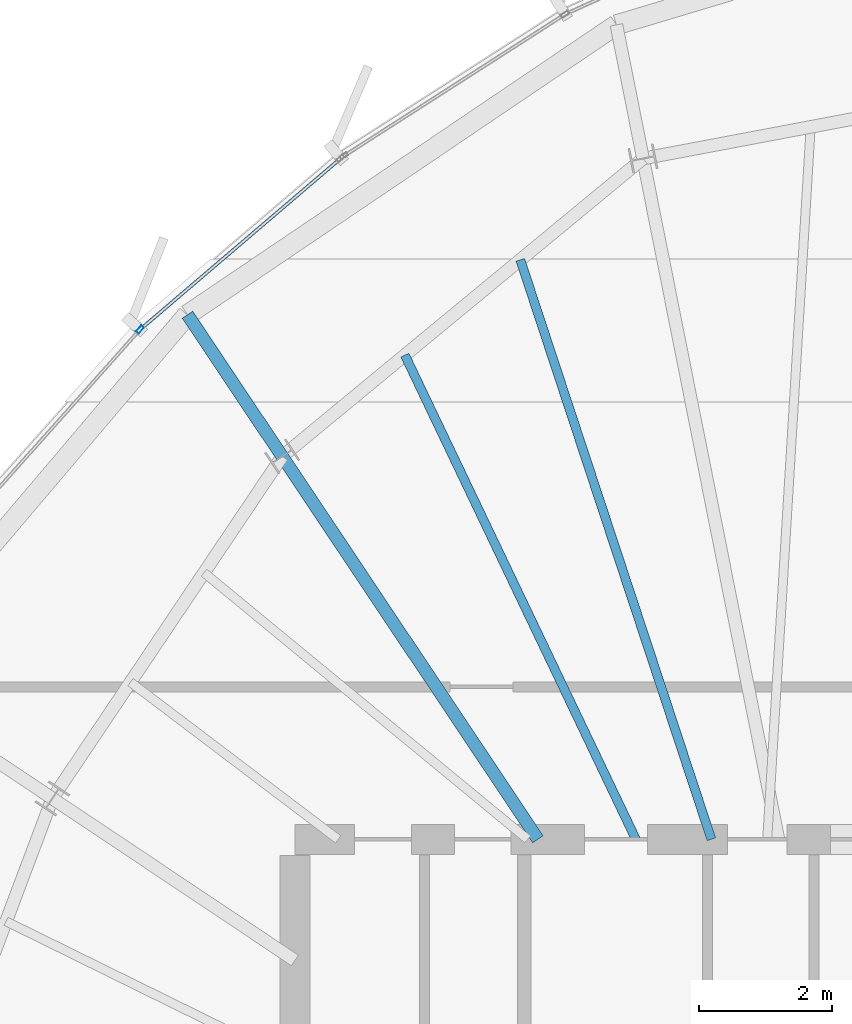
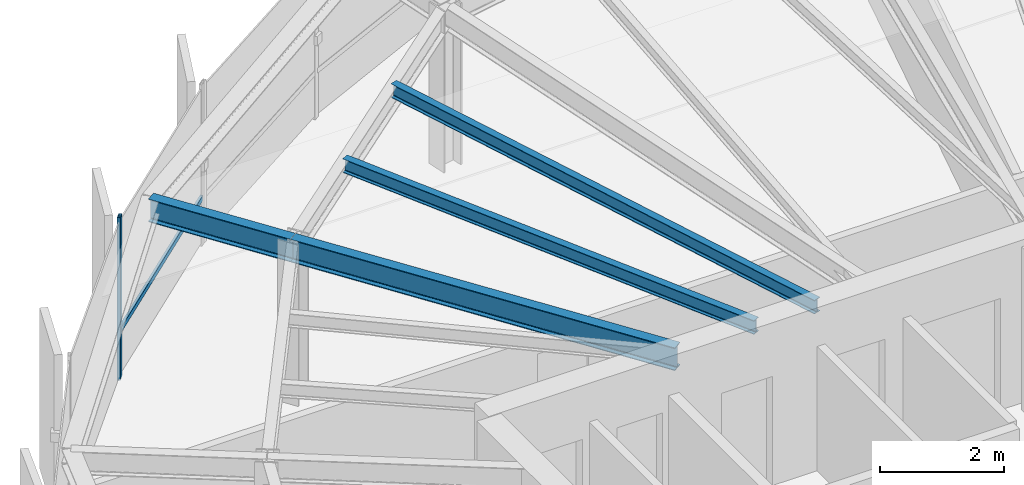
# One storey, part 18 of 31: 4 beams, 2 members, 1 element without a shape of its own.
"""IFC4 building model written with IfcOpenShell, lengths in metres."""

from ifc_helpers import new_model, si_unit, direction, frame, origin, origin_2d, place, context, subcontext, project, spatial, hollow_rectangle, i_section, extrude, source, transform, mapped, material, layer, layer_set, material_profile, profile_set, type_object, element, aggregate, save


model = new_model("IFC4")

# Units and contexts
model_context = context("Model", 3, precision=1e-05, world=origin(), true_north=direction((0.0, 1.0)))
body_context = subcontext(model_context, "Body", "Model", "MODEL_VIEW")
ifc_project = project(units=[si_unit("LENGTHUNIT", "METRE"), si_unit("AREAUNIT", "SQUARE_METRE"), si_unit("VOLUMEUNIT", "CUBIC_METRE"), si_unit("PLANEANGLEUNIT", "RADIAN"), si_unit("MASSUNIT", "GRAM", prefix="KILO"), si_unit("THERMODYNAMICTEMPERATUREUNIT", "KELVIN")], contexts=[model_context])

# Site, building, storey
site_placement = place(None, origin())
site = spatial("IfcSite", under=ifc_project, at=site_placement, CompositionType="ELEMENT")
building_placement = place(site_placement, origin())
building = spatial("IfcBuilding", under=site, at=building_placement, Name="Kethvar Cultural Tower", CompositionType="ELEMENT")
storey_placement = place(building_placement, frame((0.0, 0.0, 276.699951171875)))
storey = spatial("IfcBuildingStorey", under=building, at=storey_placement, Name="L73", CompositionType="ELEMENT", Elevation=276.699951171875)

# Beams
ifc_material_1 = material(Name="Steel S355J2", Category="steel")
ifc_material_profile_1 = material_profile(ifc_material_1, i_section(OverallWidth=0.18994140625, OverallDepth=0.449951171875, WebThickness=0.009521484375, FlangeThickness=0.0146484375, FilletRadius=0.02099609375, at=origin_2d()), Name="Steel S355J2 — IPE450")
ifc_profile_set_1 = profile_set([ifc_material_profile_1], Name="Steel S355J2 — IPE450")
beam_type_1 = type_object("IfcBeamType", Name="BM-IPE450", PredefinedType="BEAM", material=ifc_profile_set_1)
shared_shape_1 = source(origin(), body_context, "Body", "SweptSolid", [
    extrude(i_section(OverallWidth=0.18994140625, OverallDepth=0.449951171875, WebThickness=0.009521484375, FlangeThickness=0.0146484375, FilletRadius=0.02099609375, at=origin_2d()), origin(), (0.0, 0.0, 1.0), 6.921630859375),
])
beam_1_placement = place(storey_placement, frame((41.655029296875, 35.5, 2.983154296875), z_axis=(-0.555570841874, 0.831469205479, 0.0), x_axis=(-0.831469205479, -0.555570841874, 0.0)))
element("IfcBeam", 1, at=beam_1_placement, inside=storey, type_object=beam_type_1, Name="L73 Primary Radial Beam RB-06", PredefinedType="BEAM", context=body_context, shape_type="MappedRepresentation", body=[
    mapped(shared_shape_1, transform((0.0, 0.0, 0.0), scale=1.0)),
])
ifc_material_profile_2 = material_profile(ifc_material_1, i_section(OverallWidth=0.135009765625, OverallDepth=0.27001953125, WebThickness=0.006591796875, FlangeThickness=0.01025390625, FilletRadius=0.014892578125, at=origin_2d()), Name="Steel S355J2 — IPE270")
ifc_profile_set_2 = profile_set([ifc_material_profile_2], Name="Steel S355J2 — IPE270")
beam_type_2 = type_object("IfcBeamType", Name="BM-J270", PredefinedType="JOIST", material=ifc_profile_set_2)
shared_shape_2 = source(origin(), body_context, "Body", "SweptSolid", [
    extrude(i_section(OverallWidth=0.135009765625, OverallDepth=0.27001953125, WebThickness=0.006591796875, FlangeThickness=0.01025390625, FilletRadius=0.014892578125, at=origin_2d()), origin(), (0.0, 0.0, 1.0), 9.17138671875),
])
beam_2_placement = place(storey_placement, frame((44.260986328125, 35.5, 3.072998046875), z_axis=(-0.313151555446, 0.949703165901, 0.0), x_axis=(-0.949703165901, -0.313151555446, 0.0)))
element("IfcBeam", 2, at=beam_2_placement, inside=storey, type_object=beam_type_2, Name="L73 Composite Floor Joist J-05A", PredefinedType="JOIST", context=body_context, shape_type="MappedRepresentation", body=[
    mapped(shared_shape_2, transform((0.0, 0.0, 0.0), scale=1.0)),
])
shared_shape_3 = source(origin(), body_context, "Body", "SweptSolid", [
    extrude(i_section(OverallWidth=0.135009765625, OverallDepth=0.27001953125, WebThickness=0.006591796875, FlangeThickness=0.01025390625, FilletRadius=0.014892578125, at=origin_2d()), origin(), (0.0, 0.0, 1.0), 8.063232421875),
])
beam_3_placement = place(storey_placement, frame((43.1259765625, 35.5, 3.072998046875), z_axis=(-0.430642151588, 0.902522762746, 0.0), x_axis=(-0.902522762746, -0.430642151588, 0.0)))
element("IfcBeam", 3, at=beam_3_placement, inside=storey, type_object=beam_type_2, Name="L73 Composite Floor Joist J-05B", PredefinedType="JOIST", context=body_context, shape_type="MappedRepresentation", body=[
    mapped(shared_shape_3, transform((0.0, 0.0, 0.0), scale=1.0)),
])
shared_shape_4 = source(origin(), body_context, "Body", "SweptSolid", [
    extrude(i_section(OverallWidth=0.18994140625, OverallDepth=0.449951171875, WebThickness=0.009521484375, FlangeThickness=0.0146484375, FilletRadius=0.02099609375, at=origin_2d()), origin(), (0.0, 0.0, 1.0), 2.56201171875),
])
beam_4_placement = place(storey_placement, frame((37.8095703125, 41.255126953125, 2.983154296875), z_axis=(-0.555579547735, 0.831463388334, 0.0), x_axis=(-0.831463388334, -0.555579547735, 0.0)))
element("IfcBeam", 4, at=beam_4_placement, inside=storey, type_object=beam_type_1, Name="L73 Perimeter Cantilever Beam RC-06", PredefinedType="BEAM", context=body_context, shape_type="MappedRepresentation", body=[
    mapped(shared_shape_4, transform((0.0, 0.0, 0.0), scale=1.0)),
])

# Curtain wall, members
ifc_material_2 = material(Name="Aluminium 6063-T6", Category="aluminium")
ifc_layer = layer(ifc_material_2, 0.179931640625, Name="Aluminium 6063-T6", Category="aluminium")
ifc_layer_set = layer_set([ifc_layer], Name="Aluminium 6063-T6 (180 mm)")
curtain_wall_type = type_object("IfcCurtainWallType", Name="CW-SYS-05-Z56", PredefinedType="NOTDEFINED", material=ifc_layer_set)
curtain_wall_placement = place(storey_placement, origin())
curtain_wall = element("IfcCurtainWall", 5, at=curtain_wall_placement, inside=storey, type_object=curtain_wall_type, Name="L73 Curtain Wall Run 02", PredefinedType="NOTDEFINED")
ifc_material_profile_3 = material_profile(ifc_material_2, hollow_rectangle(XDim=0.054931640625, YDim=0.1201171875, WallThickness=0.00390625, at=origin_2d()), Name="Aluminium 6063-T6 — RHS120x55x4")
ifc_profile_set_3 = profile_set([ifc_material_profile_3], Name="Aluminium 6063-T6 — RHS120x55x4")
member_type_1 = type_object("IfcMemberType", Name="CW-SYS-05-Z56-MUL", PredefinedType="MULLION", material=ifc_profile_set_3)
shared_shape_5 = source(origin(), body_context, "Body", "SweptSolid", [
    extrude(hollow_rectangle(XDim=0.054931640625, YDim=0.1201171875, WallThickness=0.00390625, at=origin_2d()), origin(), (0.0, 0.0, 1.0), 3.2099609375),
])
member_1_placement = place(storey_placement, frame((35.67236328125, 43.1611328125, 0.0), z_axis=(0.0, 0.0, 1.0), x_axis=(0.746115481358, -0.665816557677, 0.0)))
member_1 = element("IfcMember", 6, at=member_1_placement, type_object=member_type_1, Name="CW-L73-R02 Mullion 2", PredefinedType="MULLION", context=body_context, shape_type="MappedRepresentation", body=[
    mapped(shared_shape_5, transform((0.0, 0.0, 0.0), scale=1.0)),
])
ifc_material_profile_4 = material_profile(ifc_material_2, hollow_rectangle(XDim=0.050048828125, YDim=0.10009765625, WallThickness=0.00390625, at=origin_2d()), Name="Aluminium 6063-T6 — RHS100x50x4")
ifc_profile_set_4 = profile_set([ifc_material_profile_4], Name="Aluminium 6063-T6 — RHS100x50x4")
member_type_2 = type_object("IfcMemberType", Name="CW-SYS-05-Z56-TRN", PredefinedType="USERDEFINED", material=ifc_profile_set_4)
shared_shape_6 = source(origin(), body_context, "Body", "SweptSolid", [
    extrude(hollow_rectangle(XDim=0.050048828125, YDim=0.10009765625, WallThickness=0.00390625, at=origin_2d()), origin(), (0.0, 0.0, 1.0), 3.9384765625),
])
member_2_placement = place(storey_placement, frame((38.6884765625, 45.734375, 0.949951171875), z_axis=(-0.760607056791, -0.649212526958, 0.0), x_axis=(0.649212526958, -0.760607056791, 0.0)))
member_2 = element("IfcMember", 7, at=member_2_placement, type_object=member_type_2, Name="CW-L73-R02 Transom 1", ObjectType="TRANSOM", PredefinedType="USERDEFINED", context=body_context, shape_type="MappedRepresentation", body=[
    mapped(shared_shape_6, transform((0.0, 0.0, 0.0), scale=1.0)),
])
aggregate(curtain_wall, [member_1, member_2])

save(model, "model.ifc")
